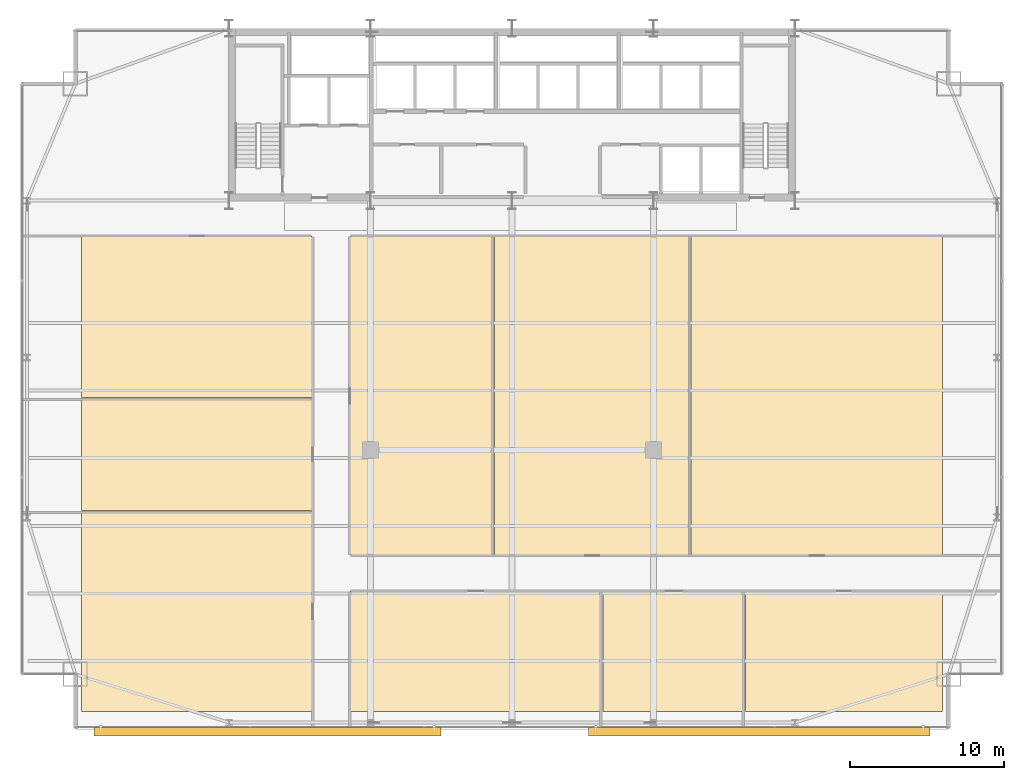
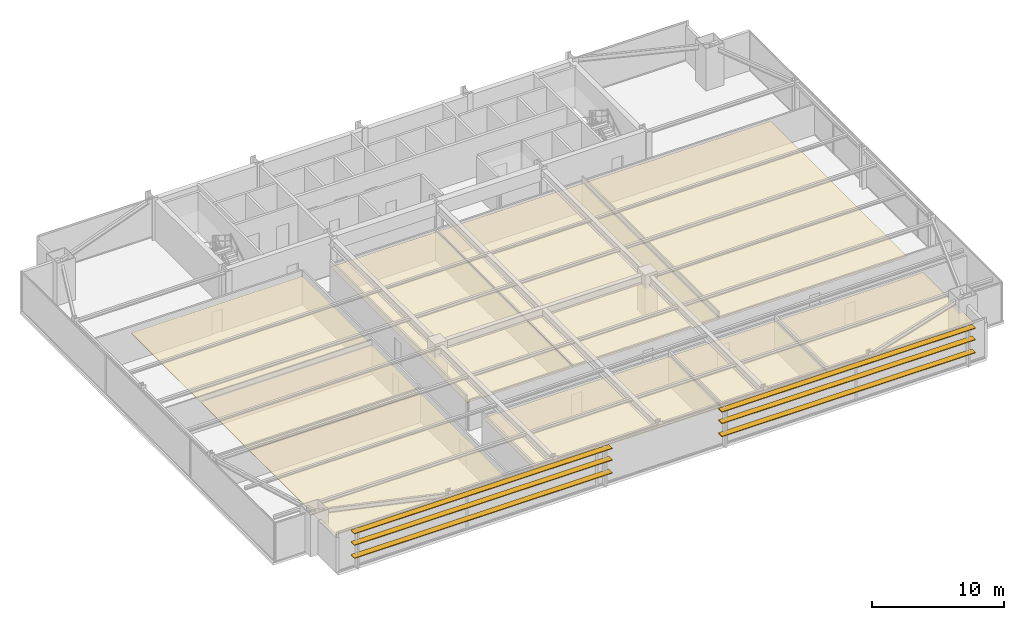
# One storey, part 31 of 32: 9 coverings, 6 shading devices.
"""IFC4 building model written with IfcOpenShell, lengths in metres."""

from ifc_helpers import new_model, si_unit, direction, frame, origin, origin_2d, place, context, subcontext, project, spatial, polyline, rectangle, outline, extrude, source, transform, mapped, material, layer, layer_set, type_object, type_shapes, element, save


model = new_model("IFC4")

# Units and contexts
model_context = context("Model", 3, precision=1e-05, world=origin(), true_north=direction((0.0, 1.0)))
body_context = subcontext(model_context, "Body", "Model", "MODEL_VIEW")
ifc_project = project(units=[si_unit("LENGTHUNIT", "METRE"), si_unit("AREAUNIT", "SQUARE_METRE"), si_unit("VOLUMEUNIT", "CUBIC_METRE"), si_unit("PLANEANGLEUNIT", "RADIAN"), si_unit("MASSUNIT", "GRAM", prefix="KILO")], contexts=[model_context])

# Site, building, storey
site_placement = place(None, origin())
site = spatial("IfcSite", under=ifc_project, at=site_placement, CompositionType="ELEMENT")
building_placement = place(site_placement, origin())
building = spatial("IfcBuilding", under=site, at=building_placement, Name="Varnel Quay Broadcast Tower", CompositionType="ELEMENT")
storey_placement = place(building_placement, frame((0.0, 0.0, 54.89990234375)))
storey = spatial("IfcBuildingStorey", under=building, at=storey_placement, Name="L12", CompositionType="ELEMENT", Elevation=54.89990234375)

# Coverings
ifc_material_1 = material(Name="Micro-Perforated Acoustic Ceiling Tile")
ifc_layer_1 = layer(ifc_material_1, 0.0400390625, Name="Micro-Perforated Acoustic Ceiling Tile")
ifc_layer_set_1 = layer_set([ifc_layer_1], Name="Micro-Perforated Acoustic Ceiling Tile")
covering_type = type_object("IfcCoveringType", Name="Cov_AcousticCeiling", PredefinedType="CEILING", material=ifc_layer_set_1)
covering_1_placement = place(storey_placement, frame((0.0, 0.0, 2.580078125)))
element("IfcCovering", 1, at=covering_1_placement, inside=storey, type_object=covering_type, Name="L12 Press Green Lounge 1 Acoustic Ceiling", PredefinedType="CEILING", context=body_context, shape_type="SweptSolid", body=[
    extrude(outline(polyline([(5.985107421875, 2.375), (21.0048828125, 2.375), (21.0048828125, 15.385009765625), (5.985107421875, 15.385009765625), (5.985107421875, 2.375)])), origin(), (0.0, 0.0, 1.0), 0.0400390625),
])
covering_2_placement = place(storey_placement, frame((0.0, 0.0, 2.580078125)))
element("IfcCovering", 2, at=covering_2_placement, inside=storey, type_object=covering_type, Name="L12 Camera Locker Store 2 Acoustic Ceiling", PredefinedType="CEILING", context=body_context, shape_type="SweptSolid", body=[
    extrude(outline(polyline([(5.985107421875, 15.455078125), (21.0048828125, 15.455078125), (21.0048828125, 22.735107421875), (5.985107421875, 22.735107421875), (5.985107421875, 15.455078125)])), origin(), (0.0, 0.0, 1.0), 0.0400390625),
])
covering_3_placement = place(storey_placement, frame((0.0, 0.0, 2.580078125)))
element("IfcCovering", 3, at=covering_3_placement, inside=storey, type_object=covering_type, Name="L12 Broadcast Newsroom 3 Acoustic Ceiling", PredefinedType="CEILING", context=body_context, shape_type="SweptSolid", body=[
    extrude(outline(polyline([(5.985107421875, 22.804931640625), (21.0048828125, 22.804931640625), (21.0048828125, 33.264892578125), (5.985107421875, 33.264892578125), (5.985107421875, 22.804931640625)])), origin(), (0.0, 0.0, 1.0), 0.0400390625),
])
covering_4_placement = place(storey_placement, frame((0.0, 0.0, 2.580078125)))
element("IfcCovering", 4, at=covering_4_placement, inside=storey, type_object=covering_type, Name="L12 Assignment Desk 4 Acoustic Ceiling", PredefinedType="CEILING", context=body_context, shape_type="SweptSolid", body=[
    extrude(outline(polyline([(23.47509765625, 2.375), (39.8349609375, 2.375), (39.8349609375, 10.175048828125), (23.47509765625, 10.175048828125), (23.47509765625, 2.375)])), origin(), (0.0, 0.0, 1.0), 0.0400390625),
])
covering_5_placement = place(storey_placement, frame((0.0, 0.0, 2.580078125)))
element("IfcCovering", 5, at=covering_5_placement, inside=storey, type_object=covering_type, Name="L12 Editorial Boardroom 5 Acoustic Ceiling", PredefinedType="CEILING", context=body_context, shape_type="SweptSolid", body=[
    extrude(outline(polyline([(39.905029296875, 2.375), (49.114990234375, 2.375), (49.114990234375, 10.175048828125), (39.905029296875, 10.175048828125), (39.905029296875, 2.375)])), origin(), (0.0, 0.0, 1.0), 0.0400390625),
])
covering_6_placement = place(storey_placement, frame((0.0, 0.0, 2.580078125)))
element("IfcCovering", 6, at=covering_6_placement, inside=storey, type_object=covering_type, Name="L12 Break Kitchen 6 Acoustic Ceiling", PredefinedType="CEILING", context=body_context, shape_type="SweptSolid", body=[
    extrude(outline(polyline([(49.18505859375, 2.375), (62.014892578125, 2.375), (62.014892578125, 10.175048828125), (49.18505859375, 10.175048828125), (49.18505859375, 2.375)])), origin(), (0.0, 0.0, 1.0), 0.0400390625),
])
covering_7_placement = place(storey_placement, frame((0.0, 0.0, 2.580078125)))
element("IfcCovering", 7, at=covering_7_placement, inside=storey, type_object=covering_type, Name="L12 Press Green Lounge 7 Acoustic Ceiling", PredefinedType="CEILING", context=body_context, shape_type="SweptSolid", body=[
    extrude(outline(polyline([(23.47509765625, 12.544921875), (32.784912109375, 12.544921875), (32.784912109375, 33.264892578125), (23.47509765625, 33.264892578125), (23.47509765625, 12.544921875)])), origin(), (0.0, 0.0, 1.0), 0.0400390625),
])
covering_8_placement = place(storey_placement, frame((0.0, 0.0, 2.580078125)))
element("IfcCovering", 8, at=covering_8_placement, inside=storey, type_object=covering_type, Name="L12 Camera Locker Store 8 Acoustic Ceiling", PredefinedType="CEILING", context=body_context, shape_type="SweptSolid", body=[
    extrude(outline(polyline([(32.85498046875, 12.544921875), (45.5849609375, 12.544921875), (45.5849609375, 33.264892578125), (32.85498046875, 33.264892578125), (32.85498046875, 12.544921875)])), origin(), (0.0, 0.0, 1.0), 0.0400390625),
])
covering_9_placement = place(storey_placement, frame((0.0, 0.0, 2.580078125)))
element("IfcCovering", 9, at=covering_9_placement, inside=storey, type_object=covering_type, Name="L12 Broadcast Newsroom 9 Acoustic Ceiling", PredefinedType="CEILING", context=body_context, shape_type="SweptSolid", body=[
    extrude(outline(polyline([(45.655029296875, 12.544921875), (62.014892578125, 12.544921875), (62.014892578125, 33.264892578125), (45.655029296875, 33.264892578125), (45.655029296875, 12.544921875)])), origin(), (0.0, 0.0, 1.0), 0.0400390625),
])

# Shading devices
ifc_material_2 = material(Name="Bronze-Terracotta Extruded Ceramic Blade", Category="masonry")
ifc_layer_2 = layer(ifc_material_2, 0.06494140625, Name="Bronze-Terracotta Extruded Ceramic Blade")
ifc_layer_set_2 = layer_set([ifc_layer_2], Name="Bronze-Terracotta Extruded Ceramic Blade")
shading_device_type = type_object("IfcShadingDeviceType", Name="Shade_LouvreBlade550", PredefinedType="JALOUSIE", material=ifc_layer_set_2)
shared_shape_1 = source(origin(), body_context, "Body", "SweptSolid", [
    extrude(rectangle(XDim=22.5869140625, YDim=0.550048828125, at=origin_2d()), origin(), (0.0, 0.0, 1.0), 0.06494140625),
])
for number, where, z_axis, x_axis, name in (
    (10, (18.093017578125, 1.06005859375, 1.11767578125), (0.0, 0.0, 1.0), (1.0, 0.0, 0.0), "L12 Lobe 1 Horizontal Louvre Blade 1"),
    (11, (18.093017578125, 1.06005859375, 2.317626953125), (0.0, 0.0, 1.0), (1.0, 0.0, 0.0), "L12 Lobe 1 Horizontal Louvre Blade 2"),
    (12, (18.093017578125, 1.06005859375, 3.3876953125), (0.0, 0.0, 1.0), (1.0, 0.0, 0.0), "L12 Lobe 1 Horizontal Louvre Blade 3"),
):
    element("IfcShadingDevice", number, at=place(storey_placement, frame(where, z_axis=z_axis, x_axis=x_axis)), inside=storey, type_object=shading_device_type, Name=name, PredefinedType="JALOUSIE", context=body_context, shape_type="MappedRepresentation", body=[
        mapped(shared_shape_1, transform((0.0, 0.0, 0.0), x_axis=(1.0, 0.0, 0.0), y_axis=(0.0, 1.0, 0.0), z_axis=(0.0, 0.0, 1.0), scale=1.0)),
    ])
shared_shape_2 = source(origin(), body_context, "Body", "SweptSolid", [
    extrude(rectangle(XDim=22.212890625, YDim=0.550048828125, at=origin_2d()), origin(), (0.0, 0.0, 1.0), 0.06494140625),
])
type_shapes(shading_device_type, [shared_shape_1, shared_shape_2])
for number, where, z_axis, x_axis, name in (
    (13, (50.093994140625, 1.06005859375, 1.11767578125), (0.0, 0.0, 1.0), (1.0, 0.0, 0.0), "L12 Lobe 2 Horizontal Louvre Blade 1"),
    (14, (50.093994140625, 1.06005859375, 2.317626953125), (0.0, 0.0, 1.0), (1.0, 0.0, 0.0), "L12 Lobe 2 Horizontal Louvre Blade 2"),
    (15, (50.093994140625, 1.06005859375, 3.3876953125), (0.0, 0.0, 1.0), (1.0, 0.0, 0.0), "L12 Lobe 2 Horizontal Louvre Blade 3"),
):
    element("IfcShadingDevice", number, at=place(storey_placement, frame(where, z_axis=z_axis, x_axis=x_axis)), inside=storey, type_object=shading_device_type, Name=name, PredefinedType="JALOUSIE", context=body_context, shape_type="MappedRepresentation", body=[
        mapped(shared_shape_2, transform((0.0, 0.0, 0.0), x_axis=(1.0, 0.0, 0.0), y_axis=(0.0, 1.0, 0.0), z_axis=(0.0, 0.0, 1.0), scale=1.0)),
    ])

save(model, "model.ifc")
